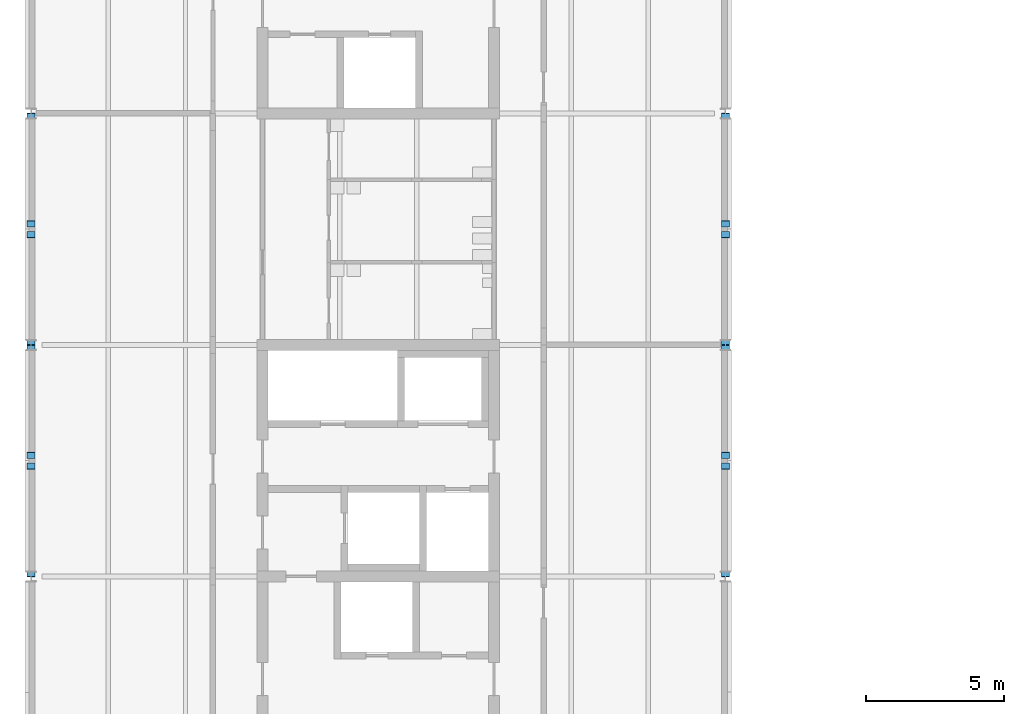
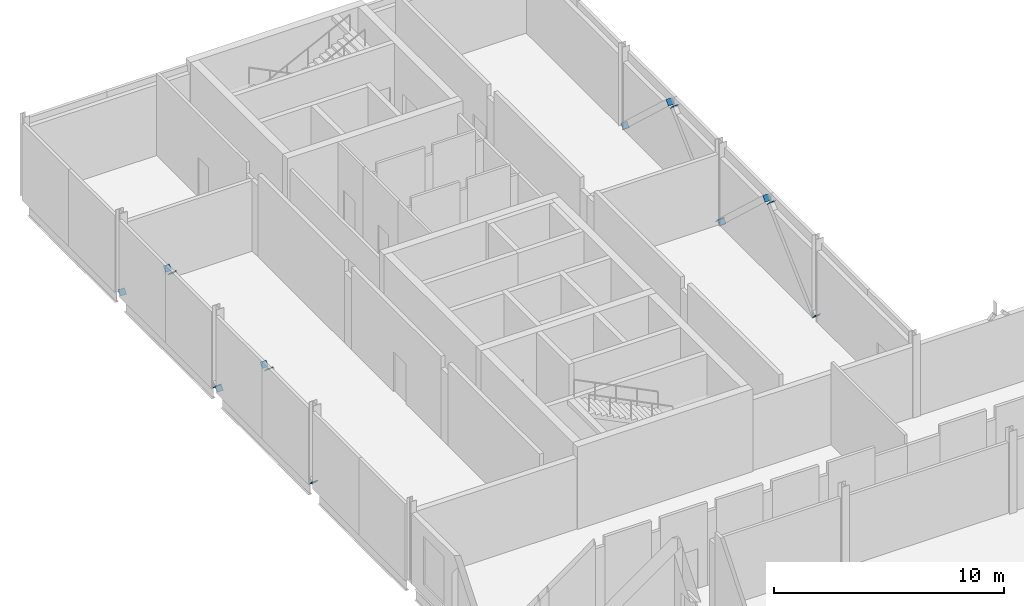
# One storey, part 63 of 89: 16 discrete accessories.
"""IFC4 building model written with IfcOpenShell, lengths in metres."""

from ifc_helpers import new_model, si_unit, direction, frame, origin, origin_2d, place, context, subcontext, project, spatial, rectangle, extrude, material, element, save


model = new_model("IFC4")

# Units and contexts
model_context = context("Model", 3, precision=1e-05, world=origin(), true_north=direction((0.0, 1.0)))
body_context = subcontext(model_context, "Body", "Model", "MODEL_VIEW")
ifc_project = project(units=[si_unit("LENGTHUNIT", "METRE"), si_unit("AREAUNIT", "SQUARE_METRE"), si_unit("VOLUMEUNIT", "CUBIC_METRE"), si_unit("PLANEANGLEUNIT", "RADIAN"), si_unit("MASSUNIT", "GRAM", prefix="KILO")], contexts=[model_context])

# Site, building, storey
site_placement = place(None, origin())
site = spatial("IfcSite", under=ifc_project, at=site_placement, CompositionType="ELEMENT")
building_placement = place(site_placement, origin())
building = spatial("IfcBuilding", under=site, at=building_placement, Name="Hlaing Beacon Police Headquarters", CompositionType="ELEMENT")
storey_placement = place(building_placement, frame((0.0, 0.0, 9.89990234375)))
storey = spatial("IfcBuildingStorey", under=building, at=storey_placement, Name="L02", CompositionType="ELEMENT", Elevation=9.89990234375)

# Discrete accessories
ifc_material = material(Name="Steel ASTM A572 Grade 50", Category="steel")
for number, where, z_axis, x_axis, name in (
    (1, (8.39990234375, 42.09521484375, 0.118896484375), (0.0, -0.733122566233, -0.680096539382), (1.0, 0.0, 0.0), "Gusset plate GP-145"),
    (2, (8.39990234375, 45.99267578125, 3.734375), (0.0, 0.733122566233, 0.680096539382), (-1.0, 0.0, 0.0), "Gusset plate GP-146"),
    (3, (8.39990234375, 50.3046875, 0.118896484375), (0.0, 0.733122566233, -0.680096539382), (-1.0, 0.0, 0.0), "Gusset plate GP-147"),
    (4, (8.39990234375, 46.4072265625, 3.734375), (0.0, -0.733122566233, 0.680096539382), (1.0, 0.0, 0.0), "Gusset plate GP-148"),
    (5, (8.39990234375, 50.495361328125, 0.118896484375), (0.0, -0.733101403652, -0.680119351263), (1.0, 0.0, 0.0), "Gusset plate GP-149"),
    (6, (8.39990234375, 54.392578125, 3.734375), (0.0, 0.733101403652, 0.680119351263), (-1.0, 0.0, 0.0), "Gusset plate GP-150"),
    (7, (8.39990234375, 58.70458984375, 0.118896484375), (0.0, 0.733101403652, -0.680119351263), (-1.0, 0.0, 0.0), "Gusset plate GP-151"),
    (8, (8.39990234375, 54.807373046875, 3.734375), (0.0, -0.733101403652, 0.680119351263), (1.0, 0.0, 0.0), "Gusset plate GP-152"),
    (9, (33.60009765625, 42.09521484375, 0.118896484375), (0.0, -0.733122566233, -0.680096539382), (1.0, 0.0, 0.0), "Gusset plate GP-177"),
    (10, (33.60009765625, 45.99267578125, 3.734375), (0.0, 0.733122566233, 0.680096539382), (-1.0, 0.0, 0.0), "Gusset plate GP-178"),
    (11, (33.60009765625, 50.3046875, 0.118896484375), (0.0, 0.733122566233, -0.680096539382), (-1.0, 0.0, 0.0), "Gusset plate GP-179"),
    (12, (33.60009765625, 46.4072265625, 3.734375), (0.0, -0.733122566233, 0.680096539382), (1.0, 0.0, 0.0), "Gusset plate GP-180"),
    (13, (33.60009765625, 50.495361328125, 0.118896484375), (0.0, -0.733101403652, -0.680119351263), (1.0, 0.0, 0.0), "Gusset plate GP-181"),
    (14, (33.60009765625, 54.392578125, 3.734375), (0.0, 0.733101403652, 0.680119351263), (-1.0, 0.0, 0.0), "Gusset plate GP-182"),
    (15, (33.60009765625, 58.70458984375, 0.118896484375), (0.0, 0.733101403652, -0.680119351263), (-1.0, 0.0, 0.0), "Gusset plate GP-183"),
    (16, (33.60009765625, 54.807373046875, 3.734375), (0.0, -0.733101403652, 0.680119351263), (1.0, 0.0, 0.0), "Gusset plate GP-184"),
):
    element("IfcDiscreteAccessory", number, at=place(storey_placement, frame(where, z_axis=z_axis, x_axis=x_axis)), inside=storey, material=ifc_material, Name=name, PredefinedType="BRACKET", context=body_context, shape_type="SweptSolid", body=[
        extrude(rectangle(XDim=0.3046875, YDim=0.3046875, at=origin_2d()), origin(), (0.0, 0.0, 1.0), 0.02001953125),
    ])

save(model, "model.ifc")
